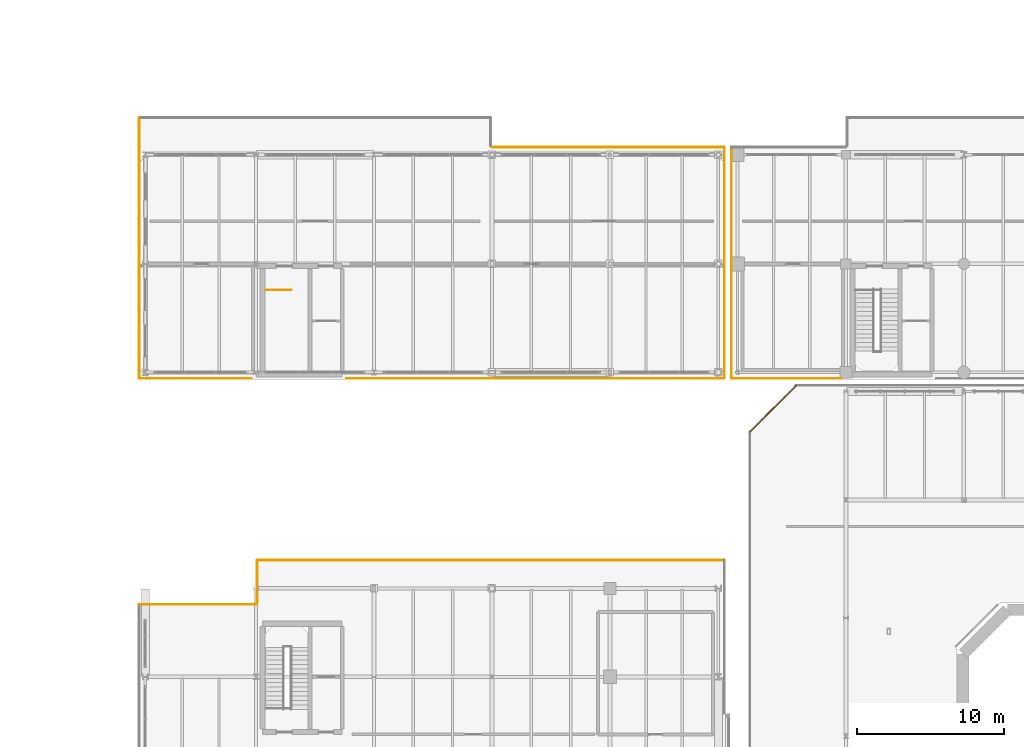
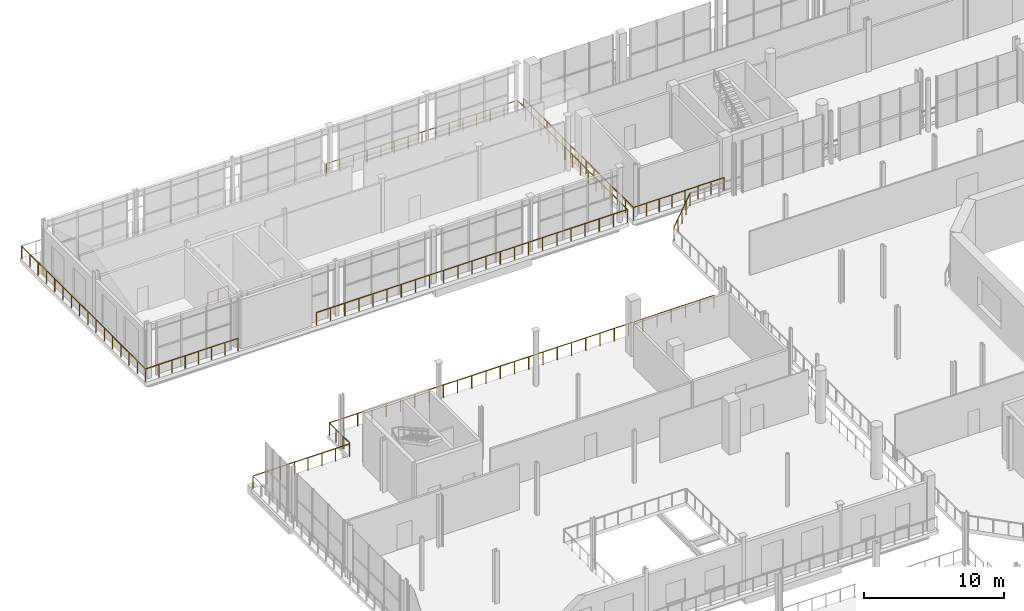
# One storey, part 87 of 93: 12 railings.
"""IFC4 building model written with IfcOpenShell, lengths in metres."""

import ifcopenshell
import ifcopenshell.guid

model = None  # the IFC model being written
_history = None  # IfcOwnerHistory: only IFC2X3 demands one
_inside = {}  # id of a spatial element -> (the spatial element, [elements in it])
_under = {}  # id of a project, library or spatial element -> (it, [spatial elements below it])
_declared = {}  # id of a project -> (the project, [libraries it declares])
_typed = {}  # id of a type object -> (the type object, [elements of that type])
_made_of = {}  # id of a material, layer set ... -> (it, [elements and type objects made of it])


def new_model(schema):
    """Start an empty IFC model of exactly this schema.

    Asked for "IFC4X3", IfcOpenShell would pick the latest addendum, in which some entities
    have other attributes; the version numbers below select the first issue.
    IFC2X3 requires an IfcOwnerHistory on every rooted entity: one is made here for all.
    """
    global model, _history
    if schema == "IFC4X3":
        model = ifcopenshell.file(schema_version=(4, 3, 0, 0))
    else:
        model = ifcopenshell.file(schema=schema)
    _inside.clear()
    _under.clear()
    _declared.clear()
    _typed.clear()
    _made_of.clear()
    _history = None
    if model.schema == "IFC2X3":
        org = make("IfcOrganization", Name="unknown")
        user = make(
            "IfcPersonAndOrganization",
            ThePerson=make("IfcPerson", FamilyName="unknown"),
            TheOrganization=org,
        )
        app = make(
            "IfcApplication",
            ApplicationDeveloper=org,
            Version="unknown",
            ApplicationFullName="unknown",
            ApplicationIdentifier="unknown",
        )
        _history = make(
            "IfcOwnerHistory",
            OwningUser=user,
            OwningApplication=app,
            ChangeAction="ADDED",
            CreationDate=0,
        )
    return model


def make(cls, **values):
    """One entity of the class cls with the attributes given. An attribute that is None is left unset."""
    return model.create_entity(
        cls, **{name: value for name, value in values.items() if value is not None}
    )


def rooted(cls, **values):
    """An entity with a GlobalId (a new one), such as an element, a storey or a relation."""
    return make(cls, GlobalId=ifcopenshell.guid.new(), OwnerHistory=_history, **values)


def si_unit(unit_type, name, prefix=None):
    """IfcSIUnit, for example si_unit("LENGTHUNIT", "METRE", prefix="MILLI")."""
    return make("IfcSIUnit", UnitType=unit_type, Prefix=prefix, Name=name)


def assignment(units):
    """IfcUnitAssignment: the units of a project."""
    return None if units is None else make("IfcUnitAssignment", Units=units)


def point(xyz):
    """IfcCartesianPoint."""
    return None if xyz is None else make("IfcCartesianPoint", Coordinates=xyz)


def direction(xyz):
    """IfcDirection."""
    return None if xyz is None else make("IfcDirection", DirectionRatios=xyz)


def frame(location, z_axis=None, x_axis=None):
    """IfcAxis2Placement3D, a coordinate frame: its origin and axes. An axis left out is left unset."""
    return make(
        "IfcAxis2Placement3D",
        Location=point(location),
        Axis=direction(z_axis),
        RefDirection=direction(x_axis),
    )


def frame_2d(location, x_axis=None):
    """IfcAxis2Placement2D, a coordinate frame in the plane: its origin and x axis."""
    return make(
        "IfcAxis2Placement2D", Location=point(location), RefDirection=direction(x_axis)
    )


def origin():
    """The frame at (0, 0, 0) with its axes left unset."""
    return frame((0.0, 0.0, 0.0))


def origin_2d():
    """The frame at (0, 0) in the plane with its x axis left unset."""
    return frame_2d((0.0, 0.0))


def place(relative_to, where):
    """IfcLocalPlacement: puts the frame where relative to a parent placement (None: the world)."""
    return make(
        "IfcLocalPlacement", PlacementRelTo=relative_to, RelativePlacement=where
    )


def context(
    kind, dimensions, precision=None, world=None, true_north=None, identifier=None
):
    """IfcGeometricRepresentationContext, for example the 3D "Model" context."""
    return make(
        "IfcGeometricRepresentationContext",
        ContextIdentifier=identifier,
        ContextType=kind,
        CoordinateSpaceDimension=dimensions,
        Precision=precision,
        WorldCoordinateSystem=world,
        TrueNorth=true_north,
    )


def subcontext(parent, identifier, kind, view, scale=None):
    """IfcGeometricRepresentationSubContext, for example "Body" below "Model"."""
    return make(
        "IfcGeometricRepresentationSubContext",
        ContextIdentifier=identifier,
        ContextType=kind,
        ParentContext=parent,
        TargetScale=scale,
        TargetView=view,
    )


def project(units=None, contexts=None):
    """IfcProject with its units and contexts."""
    return rooted(
        "IfcProject",
        Name="project",
        RepresentationContexts=contexts,
        UnitsInContext=assignment(units),
    )


def spatial(cls, under=None, at=None, **own):
    """A site, building, storey or space (cls), placed at a placement, below another one or the project."""
    s = rooted(cls, ObjectPlacement=at, **own)
    if under is not None:
        _under.setdefault(under.id(), (under, []))[1].append(s)
    return s


def profile(cls, at=None, kind="AREA", **sizes):
    """A parametric profile (cls). Its sizes go by their IFC names, for example OverallWidth=200.0."""
    return make(cls, ProfileType=kind, Position=at, **sizes)


def circle(**sizes):
    """IfcCircleProfileDef."""
    return profile("IfcCircleProfileDef", **sizes)


def extrude(swept, where, along, depth):
    """IfcExtrudedAreaSolid: the profile swept, set in the frame where, extruded along a direction by depth."""
    return make(
        "IfcExtrudedAreaSolid",
        SweptArea=swept,
        Position=where,
        ExtrudedDirection=direction(along),
        Depth=depth,
    )


def shape(context_of_items, identifier, shape_type, items):
    """IfcShapeRepresentation: the items that make up one representation, for example the "Body"."""
    return make(
        "IfcShapeRepresentation",
        ContextOfItems=context_of_items,
        RepresentationIdentifier=identifier,
        RepresentationType=shape_type,
        Items=items,
    )


def material(Name=None, Category=None):
    """IfcMaterial."""
    return make("IfcMaterial", Name=Name, Category=Category)


def made_of(thing, what):
    """Note that an element or type object is made of a material, layer set ...; save() writes the relation."""
    if what is not None:
        _made_of.setdefault(what.id(), (what, []))[1].append(thing)
    return thing


def type_object(cls, material=None, **own):
    """A type object (cls), such as IfcWallType, which elements share."""
    return made_of(rooted(cls, **own), material)


def element(
    cls,
    number,
    at=None,
    inside=None,
    cuts=None,
    type_object=None,
    material=None,
    context=None,
    identifier="Body",
    shape_type=None,
    held_by="IfcProductDefinitionShape",
    body=None,
    shapes=None,
    **own,
):
    """One element of the class cls, such as IfcWall. Its Tag is "e" and its number.

    at: its placement. inside: the storey or other place that contains it. cuts: it is an
    opening in that element (IfcRelVoidsElement). A single representation is given by context,
    identifier, shape_type and body (its items); several are given by shapes. held_by: the class
    of the entity that holds the representations. save() writes the other relations.
    """
    e = rooted(cls, Tag="e%d" % number, ObjectPlacement=at, **own)
    if body is not None:
        shapes = [shape(context, identifier, shape_type, body)]
    if shapes is not None:
        e.Representation = make(held_by, Representations=shapes)
    if inside is not None:
        _inside.setdefault(inside.id(), (inside, []))[1].append(e)
    if cuts is not None:
        rooted(
            "IfcRelVoidsElement", RelatingBuildingElement=cuts, RelatedOpeningElement=e
        )
    if type_object is not None:
        _typed.setdefault(type_object.id(), (type_object, []))[1].append(e)
    return made_of(e, material)


def aggregate(whole, parts):
    """IfcRelAggregates: a whole, such as a stair, and the parts it consists of."""
    return rooted("IfcRelAggregates", RelatingObject=whole, RelatedObjects=parts)


def save(model, path):
    """Write the relations noted so far, then the file.

    IfcRelAggregates (storeys below a building ...), IfcRelContainedInSpatialStructure (elements
    in a storey), IfcRelDefinesByType, IfcRelAssociatesMaterial and IfcRelDeclares: one each for
    every whole, place, type object, material and project.
    """
    for whole, parts in _under.values():
        aggregate(whole, parts)
    for where, things in _inside.values():
        rooted(
            "IfcRelContainedInSpatialStructure",
            RelatedElements=things,
            RelatingStructure=where,
        )
    for kind, things in _typed.values():
        rooted("IfcRelDefinesByType", RelatedObjects=things, RelatingType=kind)
    for what, things in _made_of.values():
        rooted("IfcRelAssociatesMaterial", RelatedObjects=things, RelatingMaterial=what)
    for by, libraries in _declared.values():
        rooted("IfcRelDeclares", RelatingContext=by, RelatedDefinitions=libraries)
    model.write(path)


model = new_model("IFC4")

# Units and contexts
model_context = context("Model", 3, precision=1e-05, world=origin(), true_north=direction((0.0, 1.0)))
body_context = subcontext(model_context, "Body", "Model", "MODEL_VIEW")
ifc_project = project(units=[si_unit("LENGTHUNIT", "METRE"), si_unit("AREAUNIT", "SQUARE_METRE"), si_unit("VOLUMEUNIT", "CUBIC_METRE"), si_unit("PLANEANGLEUNIT", "RADIAN"), si_unit("MASSUNIT", "GRAM", prefix="KILO")], contexts=[model_context])

# Site, building, storey
site_placement = place(None, origin())
site = spatial("IfcSite", under=ifc_project, at=site_placement, CompositionType="ELEMENT")
building_placement = place(site_placement, origin())
building = spatial("IfcBuilding", under=site, at=building_placement, Name="Brisemont Oceanarium", CompositionType="ELEMENT")
storey_placement = place(building_placement, frame((0.0, 0.0, 5.39990234375)))
storey = spatial("IfcBuildingStorey", under=building, at=storey_placement, Name="L01", CompositionType="ELEMENT", Elevation=5.39990234375)

# Railings
ifc_material_1 = material(Name="Beaux-Arts Limestone Balustrade Precast Concrete C40/50", Category="masonry")
railing_type_1 = type_object("IfcRailingType", Name="RLG-BAL-1140", PredefinedType="BALUSTRADE", material=ifc_material_1)
railing_1_placement = place(storey_placement, frame((57.489990234375, 76.61279296875, 0.0)))
element("IfcRailing", 1, at=railing_1_placement, inside=storey, type_object=railing_type_1, Name="L01 slab perimeter safety guard 44", PredefinedType="BALUSTRADE", context=body_context, shape_type="SweptSolid", body=[
    extrude(circle(Radius=0.02392578125, at=origin_2d()), frame((0.0, 0.0, 1.11572265625), z_axis=(0.707106781187, 0.707106781187, 0.0), x_axis=(-0.707106781187, 0.707106781187, 0.0)), (0.0, 0.0, 1.0), 4.450927734375),
    extrude(circle(Radius=0.02099609375, at=origin_2d()), origin(), (0.0, 0.0, 1.0), 1.091796875),
    extrude(circle(Radius=0.02099609375, at=origin_2d()), frame((0.786865234375, 0.786865234375, 0.0)), (0.0, 0.0, 1.0), 1.091796875),
    extrude(circle(Radius=0.02099609375, at=origin_2d()), frame((1.57373046875, 1.57373046875, 0.0)), (0.0, 0.0, 1.0), 1.091796875),
    extrude(circle(Radius=0.02099609375, at=origin_2d()), frame((2.3603515625, 2.3603515625, 0.0)), (0.0, 0.0, 1.0), 1.091796875),
    extrude(circle(Radius=0.02099609375, at=origin_2d()), frame((3.147216796875, 3.147216796875, 0.0)), (0.0, 0.0, 1.0), 1.091796875),
])
railing_2_placement = place(storey_placement, frame((24.090087890625, 65.02001953125, 0.0)))
element("IfcRailing", 2, at=railing_2_placement, inside=storey, type_object=railing_type_1, Name="L01 slab perimeter safety guard 92", PredefinedType="BALUSTRADE", context=body_context, shape_type="SweptSolid", body=[
    extrude(circle(Radius=0.02392578125, at=origin_2d()), frame((0.0, 0.0, 1.11572265625), z_axis=(0.0, 1.0, 0.0), x_axis=(-1.0, 0.0, 0.0)), (0.0, 0.0, 1.0), 2.889404296875),
    extrude(circle(Radius=0.02099609375, at=origin_2d()), origin(), (0.0, 0.0, 1.0), 1.091796875),
    extrude(circle(Radius=0.02099609375, at=origin_2d()), frame((0.0, 0.963134765625, 0.0)), (0.0, 0.0, 1.0), 1.091796875),
    extrude(circle(Radius=0.02099609375, at=origin_2d()), frame((0.0, 1.92626953125, 0.0)), (0.0, 0.0, 1.0), 1.091796875),
    extrude(circle(Radius=0.02099609375, at=origin_2d()), frame((0.0, 2.889404296875, 0.0)), (0.0, 0.0, 1.0), 1.091796875),
])
railing_3_placement = place(storey_placement, frame((23.703125, 80.239990234375, 0.0)))
element("IfcRailing", 3, at=railing_3_placement, inside=storey, type_object=railing_type_1, Name="L01 slab perimeter safety guard 108", PredefinedType="BALUSTRADE", context=body_context, shape_type="SweptSolid", body=[
    extrude(circle(Radius=0.02392578125, at=origin_2d()), frame((0.0, 0.0, 1.11572265625), z_axis=(-1.0, 0.0, 0.0), x_axis=(0.0, -1.0, 0.0)), (0.0, 0.0, 1.0), 7.613037109375),
    extrude(circle(Radius=0.02099609375, at=origin_2d()), origin(), (0.0, 0.0, 1.0), 1.091796875),
    extrude(circle(Radius=0.02099609375, at=origin_2d()), frame((-1.087646484375, 0.0, 0.0)), (0.0, 0.0, 1.0), 1.091796875),
    extrude(circle(Radius=0.02099609375, at=origin_2d()), frame((-2.175048828125, 0.0, 0.0)), (0.0, 0.0, 1.0), 1.091796875),
    extrude(circle(Radius=0.02099609375, at=origin_2d()), frame((-3.2626953125, 0.0, 0.0)), (0.0, 0.0, 1.0), 1.091796875),
    extrude(circle(Radius=0.02099609375, at=origin_2d()), frame((-4.350341796875, 0.0, 0.0)), (0.0, 0.0, 1.0), 1.091796875),
    extrude(circle(Radius=0.02099609375, at=origin_2d()), frame((-5.43798828125, 0.0, 0.0)), (0.0, 0.0, 1.0), 1.091796875),
    extrude(circle(Radius=0.02099609375, at=origin_2d()), frame((-6.525390625, 0.0, 0.0)), (0.0, 0.0, 1.0), 1.091796875),
    extrude(circle(Radius=0.02099609375, at=origin_2d()), frame((-7.613037109375, 0.0, 0.0)), (0.0, 0.0, 1.0), 1.091796875),
])
ifc_material_2 = material(Name="Duplex Stainless Steel EN 1.4462", Category="steel")
railing_type_2 = type_object("IfcRailingType", Name="RLG-GUARD-1120", PredefinedType="GUARDRAIL", material=ifc_material_2)
railing_4_placement = place(storey_placement, frame((24.669921875, 86.239990234375, 0.0)))
element("IfcRailing", 4, at=railing_4_placement, inside=storey, type_object=railing_type_2, Name="ST-09 L01 landing edge guard", PredefinedType="GUARDRAIL", context=body_context, shape_type="SweptSolid", body=[
    extrude(circle(Radius=0.02392578125, at=origin_2d()), frame((0.0, 0.0, 1.09619140625), z_axis=(1.0, 0.0, 0.0), x_axis=(0.0, 1.0, 0.0)), (0.0, 0.0, 1.0), 1.719970703125),
    extrude(circle(Radius=0.02099609375, at=origin_2d()), origin(), (0.0, 0.0, 1.0), 1.072021484375),
    extrude(circle(Radius=0.02099609375, at=origin_2d()), frame((0.85986328125, 0.0, 0.0)), (0.0, 0.0, 1.0), 1.072021484375),
    extrude(circle(Radius=0.02099609375, at=origin_2d()), frame((1.719970703125, 0.0, 0.0)), (0.0, 0.0, 1.0), 1.072021484375),
])
railing_5_placement = place(storey_placement, frame((56.239990234375, 80.239990234375, 0.0)))
element("IfcRailing", 5, at=railing_5_placement, inside=storey, type_object=railing_type_2, Name="L01 slab perimeter safety guard 66", PredefinedType="GUARDRAIL", context=body_context, shape_type="SweptSolid", body=[
    extrude(circle(Radius=0.02392578125, at=origin_2d()), frame((0.0, 0.0, 1.09619140625), z_axis=(0.0, 1.0, 0.0), x_axis=(-1.0, 0.0, 0.0)), (0.0, 0.0, 1.0), 15.66943359375),
    extrude(circle(Radius=0.02099609375, at=origin_2d()), origin(), (0.0, 0.0, 1.0), 1.072021484375),
    extrude(circle(Radius=0.02099609375, at=origin_2d()), frame((0.0, 1.119140625, 0.0)), (0.0, 0.0, 1.0), 1.072021484375),
    extrude(circle(Radius=0.02099609375, at=origin_2d()), frame((0.0, 2.238525390625, 0.0)), (0.0, 0.0, 1.0), 1.072021484375),
    extrude(circle(Radius=0.02099609375, at=origin_2d()), frame((0.0, 3.357666015625, 0.0)), (0.0, 0.0, 1.0), 1.072021484375),
    extrude(circle(Radius=0.02099609375, at=origin_2d()), frame((0.0, 4.47705078125, 0.0)), (0.0, 0.0, 1.0), 1.072021484375),
    extrude(circle(Radius=0.02099609375, at=origin_2d()), frame((0.0, 5.59619140625, 0.0)), (0.0, 0.0, 1.0), 1.072021484375),
    extrude(circle(Radius=0.02099609375, at=origin_2d()), frame((0.0, 6.715576171875, 0.0)), (0.0, 0.0, 1.0), 1.072021484375),
    extrude(circle(Radius=0.02099609375, at=origin_2d()), frame((0.0, 7.834716796875, 0.0)), (0.0, 0.0, 1.0), 1.072021484375),
    extrude(circle(Radius=0.02099609375, at=origin_2d()), frame((0.0, 8.953857421875, 0.0)), (0.0, 0.0, 1.0), 1.072021484375),
    extrude(circle(Radius=0.02099609375, at=origin_2d()), frame((0.0, 10.0732421875, 0.0)), (0.0, 0.0, 1.0), 1.072021484375),
    extrude(circle(Radius=0.02099609375, at=origin_2d()), frame((0.0, 11.1923828125, 0.0)), (0.0, 0.0, 1.0), 1.072021484375),
    extrude(circle(Radius=0.02099609375, at=origin_2d()), frame((0.0, 12.311767578125, 0.0)), (0.0, 0.0, 1.0), 1.072021484375),
    extrude(circle(Radius=0.02099609375, at=origin_2d()), frame((0.0, 13.430908203125, 0.0)), (0.0, 0.0, 1.0), 1.072021484375),
    extrude(circle(Radius=0.02099609375, at=origin_2d()), frame((0.0, 14.55029296875, 0.0)), (0.0, 0.0, 1.0), 1.072021484375),
    extrude(circle(Radius=0.02099609375, at=origin_2d()), frame((0.0, 15.66943359375, 0.0)), (0.0, 0.0, 1.0), 1.072021484375),
])
railing_6_placement = place(storey_placement, frame((63.703125, 80.239990234375, 0.0)))
element("IfcRailing", 6, at=railing_6_placement, inside=storey, type_object=railing_type_2, Name="L01 slab perimeter safety guard 74", PredefinedType="GUARDRAIL", context=body_context, shape_type="SweptSolid", body=[
    extrude(circle(Radius=0.02392578125, at=origin_2d()), frame((0.0, 0.0, 1.09619140625), z_axis=(-1.0, 0.0, 0.0), x_axis=(0.0, -1.0, 0.0)), (0.0, 0.0, 1.0), 7.463134765625),
    extrude(circle(Radius=0.02099609375, at=origin_2d()), origin(), (0.0, 0.0, 1.0), 1.072021484375),
    extrude(circle(Radius=0.02099609375, at=origin_2d()), frame((-1.066162109375, 0.0, 0.0)), (0.0, 0.0, 1.0), 1.072021484375),
    extrude(circle(Radius=0.02099609375, at=origin_2d()), frame((-2.13232421875, 0.0, 0.0)), (0.0, 0.0, 1.0), 1.072021484375),
    extrude(circle(Radius=0.02099609375, at=origin_2d()), frame((-3.198486328125, 0.0, 0.0)), (0.0, 0.0, 1.0), 1.072021484375),
    extrude(circle(Radius=0.02099609375, at=origin_2d()), frame((-4.2646484375, 0.0, 0.0)), (0.0, 0.0, 1.0), 1.072021484375),
    extrude(circle(Radius=0.02099609375, at=origin_2d()), frame((-5.330810546875, 0.0, 0.0)), (0.0, 0.0, 1.0), 1.072021484375),
    extrude(circle(Radius=0.02099609375, at=origin_2d()), frame((-6.39697265625, 0.0, 0.0)), (0.0, 0.0, 1.0), 1.072021484375),
    extrude(circle(Radius=0.02099609375, at=origin_2d()), frame((-7.463134765625, 0.0, 0.0)), (0.0, 0.0, 1.0), 1.072021484375),
])
railing_7_placement = place(storey_placement, frame((16.090087890625, 64.909423828125, 0.0)))
element("IfcRailing", 7, at=railing_7_placement, inside=storey, type_object=railing_type_2, Name="L01 slab perimeter safety guard 91", PredefinedType="GUARDRAIL", context=body_context, shape_type="SweptSolid", body=[
    extrude(circle(Radius=0.02392578125, at=origin_2d()), frame((0.0, 0.0, 1.09619140625), z_axis=(0.999999573256, 0.00092384403, 0.0), x_axis=(-0.00092384403, 0.999999573256, 0.0)), (0.0, 0.0, 1.0), 7.927978515625),
    extrude(circle(Radius=0.02099609375, at=origin_2d()), origin(), (0.0, 0.0, 1.0), 1.072021484375),
    extrude(circle(Radius=0.02099609375, at=origin_2d()), frame((1.132568359375, 0.0009765625, 0.0)), (0.0, 0.0, 1.0), 1.072021484375),
    extrude(circle(Radius=0.02099609375, at=origin_2d()), frame((2.26513671875, 0.002197265625, 0.0)), (0.0, 0.0, 1.0), 1.072021484375),
    extrude(circle(Radius=0.02099609375, at=origin_2d()), frame((3.397705078125, 0.003173828125, 0.0)), (0.0, 0.0, 1.0), 1.072021484375),
    extrude(circle(Radius=0.02099609375, at=origin_2d()), frame((4.5302734375, 0.004150390625, 0.0)), (0.0, 0.0, 1.0), 1.072021484375),
    extrude(circle(Radius=0.02099609375, at=origin_2d()), frame((5.662841796875, 0.005126953125, 0.0)), (0.0, 0.0, 1.0), 1.072021484375),
    extrude(circle(Radius=0.02099609375, at=origin_2d()), frame((6.79541015625, 0.00634765625, 0.0)), (0.0, 0.0, 1.0), 1.072021484375),
    extrude(circle(Radius=0.02099609375, at=origin_2d()), frame((7.927978515625, 0.00732421875, 0.0)), (0.0, 0.0, 1.0), 1.072021484375),
])
railing_8_placement = place(storey_placement, frame((24.090087890625, 67.909423828125, 0.0)))
element("IfcRailing", 8, at=railing_8_placement, inside=storey, type_object=railing_type_2, Name="L01 slab perimeter safety guard 93", PredefinedType="GUARDRAIL", context=body_context, shape_type="SweptSolid", body=[
    extrude(circle(Radius=0.02392578125, at=origin_2d()), frame((0.0, 0.0, 1.09619140625), z_axis=(0.999999999881, 1.5418061e-05, 0.0), x_axis=(-1.5418061e-05, 0.999999999881, 0.0)), (0.0, 0.0, 1.0), 31.66943359375),
    extrude(circle(Radius=0.02099609375, at=origin_2d()), origin(), (0.0, 0.0, 1.0), 1.072021484375),
    extrude(circle(Radius=0.02099609375, at=origin_2d()), frame((1.1728515625, 0.0, 0.0)), (0.0, 0.0, 1.0), 1.072021484375),
    extrude(circle(Radius=0.02099609375, at=origin_2d()), frame((2.345947265625, 0.0, 0.0)), (0.0, 0.0, 1.0), 1.072021484375),
    extrude(circle(Radius=0.02099609375, at=origin_2d()), frame((3.518798828125, 0.0, 0.0)), (0.0, 0.0, 1.0), 1.072021484375),
    extrude(circle(Radius=0.02099609375, at=origin_2d()), frame((4.691650390625, 0.0, 0.0)), (0.0, 0.0, 1.0), 1.072021484375),
    extrude(circle(Radius=0.02099609375, at=origin_2d()), frame((5.86474609375, 0.0, 0.0)), (0.0, 0.0, 1.0), 1.072021484375),
    extrude(circle(Radius=0.02099609375, at=origin_2d()), frame((7.03759765625, 0.0, 0.0)), (0.0, 0.0, 1.0), 1.072021484375),
    extrude(circle(Radius=0.02099609375, at=origin_2d()), frame((8.210693359375, 0.000244140625, 0.0)), (0.0, 0.0, 1.0), 1.072021484375),
    extrude(circle(Radius=0.02099609375, at=origin_2d()), frame((9.383544921875, 0.000244140625, 0.0)), (0.0, 0.0, 1.0), 1.072021484375),
    extrude(circle(Radius=0.02099609375, at=origin_2d()), frame((10.556396484375, 0.000244140625, 0.0)), (0.0, 0.0, 1.0), 1.072021484375),
    extrude(circle(Radius=0.02099609375, at=origin_2d()), frame((11.7294921875, 0.000244140625, 0.0)), (0.0, 0.0, 1.0), 1.072021484375),
    extrude(circle(Radius=0.02099609375, at=origin_2d()), frame((12.90234375, 0.000244140625, 0.0)), (0.0, 0.0, 1.0), 1.072021484375),
    extrude(circle(Radius=0.02099609375, at=origin_2d()), frame((14.0751953125, 0.000244140625, 0.0)), (0.0, 0.0, 1.0), 1.072021484375),
    extrude(circle(Radius=0.02099609375, at=origin_2d()), frame((15.248291015625, 0.000244140625, 0.0)), (0.0, 0.0, 1.0), 1.072021484375),
    extrude(circle(Radius=0.02099609375, at=origin_2d()), frame((16.421142578125, 0.000244140625, 0.0)), (0.0, 0.0, 1.0), 1.072021484375),
    extrude(circle(Radius=0.02099609375, at=origin_2d()), frame((17.59423828125, 0.000244140625, 0.0)), (0.0, 0.0, 1.0), 1.072021484375),
    extrude(circle(Radius=0.02099609375, at=origin_2d()), frame((18.76708984375, 0.000244140625, 0.0)), (0.0, 0.0, 1.0), 1.072021484375),
    extrude(circle(Radius=0.02099609375, at=origin_2d()), frame((19.93994140625, 0.000244140625, 0.0)), (0.0, 0.0, 1.0), 1.072021484375),
    extrude(circle(Radius=0.02099609375, at=origin_2d()), frame((21.113037109375, 0.000244140625, 0.0)), (0.0, 0.0, 1.0), 1.072021484375),
    extrude(circle(Radius=0.02099609375, at=origin_2d()), frame((22.285888671875, 0.000244140625, 0.0)), (0.0, 0.0, 1.0), 1.072021484375),
    extrude(circle(Radius=0.02099609375, at=origin_2d()), frame((23.458740234375, 0.000244140625, 0.0)), (0.0, 0.0, 1.0), 1.072021484375),
    extrude(circle(Radius=0.02099609375, at=origin_2d()), frame((24.6318359375, 0.00048828125, 0.0)), (0.0, 0.0, 1.0), 1.072021484375),
    extrude(circle(Radius=0.02099609375, at=origin_2d()), frame((25.8046875, 0.00048828125, 0.0)), (0.0, 0.0, 1.0), 1.072021484375),
    extrude(circle(Radius=0.02099609375, at=origin_2d()), frame((26.977783203125, 0.00048828125, 0.0)), (0.0, 0.0, 1.0), 1.072021484375),
    extrude(circle(Radius=0.02099609375, at=origin_2d()), frame((28.150634765625, 0.00048828125, 0.0)), (0.0, 0.0, 1.0), 1.072021484375),
    extrude(circle(Radius=0.02099609375, at=origin_2d()), frame((29.323486328125, 0.00048828125, 0.0)), (0.0, 0.0, 1.0), 1.072021484375),
    extrude(circle(Radius=0.02099609375, at=origin_2d()), frame((30.49658203125, 0.00048828125, 0.0)), (0.0, 0.0, 1.0), 1.072021484375),
    extrude(circle(Radius=0.02099609375, at=origin_2d()), frame((31.66943359375, 0.00048828125, 0.0)), (0.0, 0.0, 1.0), 1.072021484375),
])
railing_9_placement = place(storey_placement, frame((16.090087890625, 80.239990234375, 0.0)))
element("IfcRailing", 9, at=railing_9_placement, inside=storey, type_object=railing_type_2, Name="L01 slab perimeter safety guard 102", PredefinedType="GUARDRAIL", context=body_context, shape_type="SweptSolid", body=[
    extrude(circle(Radius=0.02392578125, at=origin_2d()), frame((0.0, 0.0, 1.09619140625), z_axis=(0.0, 1.0, 0.0), x_axis=(-1.0, 0.0, 0.0)), (0.0, 0.0, 1.0), 17.66943359375),
    extrude(circle(Radius=0.02099609375, at=origin_2d()), origin(), (0.0, 0.0, 1.0), 1.072021484375),
    extrude(circle(Radius=0.02099609375, at=origin_2d()), frame((0.0, 1.177978515625, 0.0)), (0.0, 0.0, 1.0), 1.072021484375),
    extrude(circle(Radius=0.02099609375, at=origin_2d()), frame((0.0, 2.35595703125, 0.0)), (0.0, 0.0, 1.0), 1.072021484375),
    extrude(circle(Radius=0.02099609375, at=origin_2d()), frame((0.0, 3.533935546875, 0.0)), (0.0, 0.0, 1.0), 1.072021484375),
    extrude(circle(Radius=0.02099609375, at=origin_2d()), frame((0.0, 4.7119140625, 0.0)), (0.0, 0.0, 1.0), 1.072021484375),
    extrude(circle(Radius=0.02099609375, at=origin_2d()), frame((0.0, 5.889892578125, 0.0)), (0.0, 0.0, 1.0), 1.072021484375),
    extrude(circle(Radius=0.02099609375, at=origin_2d()), frame((0.0, 7.06787109375, 0.0)), (0.0, 0.0, 1.0), 1.072021484375),
    extrude(circle(Radius=0.02099609375, at=origin_2d()), frame((0.0, 8.245849609375, 0.0)), (0.0, 0.0, 1.0), 1.072021484375),
    extrude(circle(Radius=0.02099609375, at=origin_2d()), frame((0.0, 9.423583984375, 0.0)), (0.0, 0.0, 1.0), 1.072021484375),
    extrude(circle(Radius=0.02099609375, at=origin_2d()), frame((0.0, 10.6015625, 0.0)), (0.0, 0.0, 1.0), 1.072021484375),
    extrude(circle(Radius=0.02099609375, at=origin_2d()), frame((0.0, 11.779541015625, 0.0)), (0.0, 0.0, 1.0), 1.072021484375),
    extrude(circle(Radius=0.02099609375, at=origin_2d()), frame((0.0, 12.95751953125, 0.0)), (0.0, 0.0, 1.0), 1.072021484375),
    extrude(circle(Radius=0.02099609375, at=origin_2d()), frame((0.0, 14.135498046875, 0.0)), (0.0, 0.0, 1.0), 1.072021484375),
    extrude(circle(Radius=0.02099609375, at=origin_2d()), frame((0.0, 15.3134765625, 0.0)), (0.0, 0.0, 1.0), 1.072021484375),
    extrude(circle(Radius=0.02099609375, at=origin_2d()), frame((0.0, 16.491455078125, 0.0)), (0.0, 0.0, 1.0), 1.072021484375),
    extrude(circle(Radius=0.02099609375, at=origin_2d()), frame((0.0, 17.66943359375, 0.0)), (0.0, 0.0, 1.0), 1.072021484375),
])
railing_10_placement = place(storey_placement, frame((40.0048828125, 95.9111328125, 0.0)))
element("IfcRailing", 10, at=railing_10_placement, inside=storey, type_object=railing_type_2, Name="L01 slab perimeter safety guard 105", PredefinedType="GUARDRAIL", context=body_context, shape_type="SweptSolid", body=[
    extrude(circle(Radius=0.02392578125, at=origin_2d()), frame((0.0, 0.0, 1.09619140625), z_axis=(0.999999996998, -7.748214e-05, 0.0), x_axis=(7.748214e-05, 0.999999996998, 0.0)), (0.0, 0.0, 1.0), 15.754638671875),
    extrude(circle(Radius=0.02099609375, at=origin_2d()), origin(), (0.0, 0.0, 1.0), 1.072021484375),
    extrude(circle(Radius=0.02099609375, at=origin_2d()), frame((1.125244140625, 0.0, 0.0)), (0.0, 0.0, 1.0), 1.072021484375),
    extrude(circle(Radius=0.02099609375, at=origin_2d()), frame((2.250732421875, -0.000244140625, 0.0)), (0.0, 0.0, 1.0), 1.072021484375),
    extrude(circle(Radius=0.02099609375, at=origin_2d()), frame((3.3759765625, -0.000244140625, 0.0)), (0.0, 0.0, 1.0), 1.072021484375),
    extrude(circle(Radius=0.02099609375, at=origin_2d()), frame((4.501220703125, -0.000244140625, 0.0)), (0.0, 0.0, 1.0), 1.072021484375),
    extrude(circle(Radius=0.02099609375, at=origin_2d()), frame((5.626708984375, -0.00048828125, 0.0)), (0.0, 0.0, 1.0), 1.072021484375),
    extrude(circle(Radius=0.02099609375, at=origin_2d()), frame((6.751953125, -0.00048828125, 0.0)), (0.0, 0.0, 1.0), 1.072021484375),
    extrude(circle(Radius=0.02099609375, at=origin_2d()), frame((7.87744140625, -0.00048828125, 0.0)), (0.0, 0.0, 1.0), 1.072021484375),
    extrude(circle(Radius=0.02099609375, at=origin_2d()), frame((9.002685546875, -0.000732421875, 0.0)), (0.0, 0.0, 1.0), 1.072021484375),
    extrude(circle(Radius=0.02099609375, at=origin_2d()), frame((10.1279296875, -0.000732421875, 0.0)), (0.0, 0.0, 1.0), 1.072021484375),
    extrude(circle(Radius=0.02099609375, at=origin_2d()), frame((11.25341796875, -0.0009765625, 0.0)), (0.0, 0.0, 1.0), 1.072021484375),
    extrude(circle(Radius=0.02099609375, at=origin_2d()), frame((12.378662109375, -0.0009765625, 0.0)), (0.0, 0.0, 1.0), 1.072021484375),
    extrude(circle(Radius=0.02099609375, at=origin_2d()), frame((13.50390625, -0.0009765625, 0.0)), (0.0, 0.0, 1.0), 1.072021484375),
    extrude(circle(Radius=0.02099609375, at=origin_2d()), frame((14.62939453125, -0.001220703125, 0.0)), (0.0, 0.0, 1.0), 1.072021484375),
    extrude(circle(Radius=0.02099609375, at=origin_2d()), frame((15.754638671875, -0.001220703125, 0.0)), (0.0, 0.0, 1.0), 1.072021484375),
])
railing_11_placement = place(storey_placement, frame((55.759521484375, 95.909912109375, 0.0)))
element("IfcRailing", 11, at=railing_11_placement, inside=storey, type_object=railing_type_2, Name="L01 slab perimeter safety guard 106", PredefinedType="GUARDRAIL", context=body_context, shape_type="SweptSolid", body=[
    extrude(circle(Radius=0.02392578125, at=origin_2d()), frame((0.0, 0.0, 1.09619140625), z_axis=(3.1161385e-05, -0.999999999514, 0.0), x_axis=(0.999999999514, 3.1161385e-05, 0.0)), (0.0, 0.0, 1.0), 15.66943359375),
    extrude(circle(Radius=0.02099609375, at=origin_2d()), origin(), (0.0, 0.0, 1.0), 1.072021484375),
    extrude(circle(Radius=0.02099609375, at=origin_2d()), frame((0.0, -1.119140625, 0.0)), (0.0, 0.0, 1.0), 1.072021484375),
    extrude(circle(Radius=0.02099609375, at=origin_2d()), frame((0.0, -2.238525390625, 0.0)), (0.0, 0.0, 1.0), 1.072021484375),
    extrude(circle(Radius=0.02099609375, at=origin_2d()), frame((0.0, -3.357666015625, 0.0)), (0.0, 0.0, 1.0), 1.072021484375),
    extrude(circle(Radius=0.02099609375, at=origin_2d()), frame((0.000244140625, -4.47705078125, 0.0)), (0.0, 0.0, 1.0), 1.072021484375),
    extrude(circle(Radius=0.02099609375, at=origin_2d()), frame((0.000244140625, -5.59619140625, 0.0)), (0.0, 0.0, 1.0), 1.072021484375),
    extrude(circle(Radius=0.02099609375, at=origin_2d()), frame((0.000244140625, -6.715576171875, 0.0)), (0.0, 0.0, 1.0), 1.072021484375),
    extrude(circle(Radius=0.02099609375, at=origin_2d()), frame((0.000244140625, -7.834716796875, 0.0)), (0.0, 0.0, 1.0), 1.072021484375),
    extrude(circle(Radius=0.02099609375, at=origin_2d()), frame((0.000244140625, -8.953857421875, 0.0)), (0.0, 0.0, 1.0), 1.072021484375),
    extrude(circle(Radius=0.02099609375, at=origin_2d()), frame((0.000244140625, -10.0732421875, 0.0)), (0.0, 0.0, 1.0), 1.072021484375),
    extrude(circle(Radius=0.02099609375, at=origin_2d()), frame((0.000244140625, -11.1923828125, 0.0)), (0.0, 0.0, 1.0), 1.072021484375),
    extrude(circle(Radius=0.02099609375, at=origin_2d()), frame((0.00048828125, -12.311767578125, 0.0)), (0.0, 0.0, 1.0), 1.072021484375),
    extrude(circle(Radius=0.02099609375, at=origin_2d()), frame((0.00048828125, -13.430908203125, 0.0)), (0.0, 0.0, 1.0), 1.072021484375),
    extrude(circle(Radius=0.02099609375, at=origin_2d()), frame((0.00048828125, -14.55029296875, 0.0)), (0.0, 0.0, 1.0), 1.072021484375),
    extrude(circle(Radius=0.02099609375, at=origin_2d()), frame((0.00048828125, -15.66943359375, 0.0)), (0.0, 0.0, 1.0), 1.072021484375),
])
railing_12_placement = place(storey_placement, frame((55.760009765625, 80.240478515625, 0.0)))
element("IfcRailing", 12, at=railing_12_placement, inside=storey, type_object=railing_type_2, Name="L01 slab perimeter safety guard 107", PredefinedType="GUARDRAIL", context=body_context, shape_type="SweptSolid", body=[
    extrude(circle(Radius=0.02392578125, at=origin_2d()), frame((0.0, 0.0, 1.09619140625), z_axis=(-0.999999999955, -9.532979e-06, 0.0), x_axis=(9.532979e-06, -0.999999999955, 0.0)), (0.0, 0.0, 1.0), 25.610107421875),
    extrude(circle(Radius=0.02099609375, at=origin_2d()), origin(), (0.0, 0.0, 1.0), 1.072021484375),
    extrude(circle(Radius=0.02099609375, at=origin_2d()), frame((-1.1640625, 0.0, 0.0)), (0.0, 0.0, 1.0), 1.072021484375),
    extrude(circle(Radius=0.02099609375, at=origin_2d()), frame((-2.328125, 0.0, 0.0)), (0.0, 0.0, 1.0), 1.072021484375),
    extrude(circle(Radius=0.02099609375, at=origin_2d()), frame((-3.4921875, 0.0, 0.0)), (0.0, 0.0, 1.0), 1.072021484375),
    extrude(circle(Radius=0.02099609375, at=origin_2d()), frame((-4.656494140625, 0.0, 0.0)), (0.0, 0.0, 1.0), 1.072021484375),
    extrude(circle(Radius=0.02099609375, at=origin_2d()), frame((-5.820556640625, 0.0, 0.0)), (0.0, 0.0, 1.0), 1.072021484375),
    extrude(circle(Radius=0.02099609375, at=origin_2d()), frame((-6.984619140625, 0.0, 0.0)), (0.0, 0.0, 1.0), 1.072021484375),
    extrude(circle(Radius=0.02099609375, at=origin_2d()), frame((-8.148681640625, 0.0, 0.0)), (0.0, 0.0, 1.0), 1.072021484375),
    extrude(circle(Radius=0.02099609375, at=origin_2d()), frame((-9.312744140625, 0.0, 0.0)), (0.0, 0.0, 1.0), 1.072021484375),
    extrude(circle(Radius=0.02099609375, at=origin_2d()), frame((-10.476806640625, 0.0, 0.0)), (0.0, 0.0, 1.0), 1.072021484375),
    extrude(circle(Radius=0.02099609375, at=origin_2d()), frame((-11.640869140625, 0.0, 0.0)), (0.0, 0.0, 1.0), 1.072021484375),
    extrude(circle(Radius=0.02099609375, at=origin_2d()), frame((-12.80517578125, 0.0, 0.0)), (0.0, 0.0, 1.0), 1.072021484375),
    extrude(circle(Radius=0.02099609375, at=origin_2d()), frame((-13.96923828125, -0.000244140625, 0.0)), (0.0, 0.0, 1.0), 1.072021484375),
    extrude(circle(Radius=0.02099609375, at=origin_2d()), frame((-15.13330078125, -0.000244140625, 0.0)), (0.0, 0.0, 1.0), 1.072021484375),
    extrude(circle(Radius=0.02099609375, at=origin_2d()), frame((-16.29736328125, -0.000244140625, 0.0)), (0.0, 0.0, 1.0), 1.072021484375),
    extrude(circle(Radius=0.02099609375, at=origin_2d()), frame((-17.46142578125, -0.000244140625, 0.0)), (0.0, 0.0, 1.0), 1.072021484375),
    extrude(circle(Radius=0.02099609375, at=origin_2d()), frame((-18.62548828125, -0.000244140625, 0.0)), (0.0, 0.0, 1.0), 1.072021484375),
    extrude(circle(Radius=0.02099609375, at=origin_2d()), frame((-19.78955078125, -0.000244140625, 0.0)), (0.0, 0.0, 1.0), 1.072021484375),
    extrude(circle(Radius=0.02099609375, at=origin_2d()), frame((-20.95361328125, -0.000244140625, 0.0)), (0.0, 0.0, 1.0), 1.072021484375),
    extrude(circle(Radius=0.02099609375, at=origin_2d()), frame((-22.117919921875, -0.000244140625, 0.0)), (0.0, 0.0, 1.0), 1.072021484375),
    extrude(circle(Radius=0.02099609375, at=origin_2d()), frame((-23.281982421875, -0.000244140625, 0.0)), (0.0, 0.0, 1.0), 1.072021484375),
    extrude(circle(Radius=0.02099609375, at=origin_2d()), frame((-24.446044921875, -0.000244140625, 0.0)), (0.0, 0.0, 1.0), 1.072021484375),
    extrude(circle(Radius=0.02099609375, at=origin_2d()), frame((-25.610107421875, -0.000244140625, 0.0)), (0.0, 0.0, 1.0), 1.072021484375),
])

save(model, "model.ifc")
